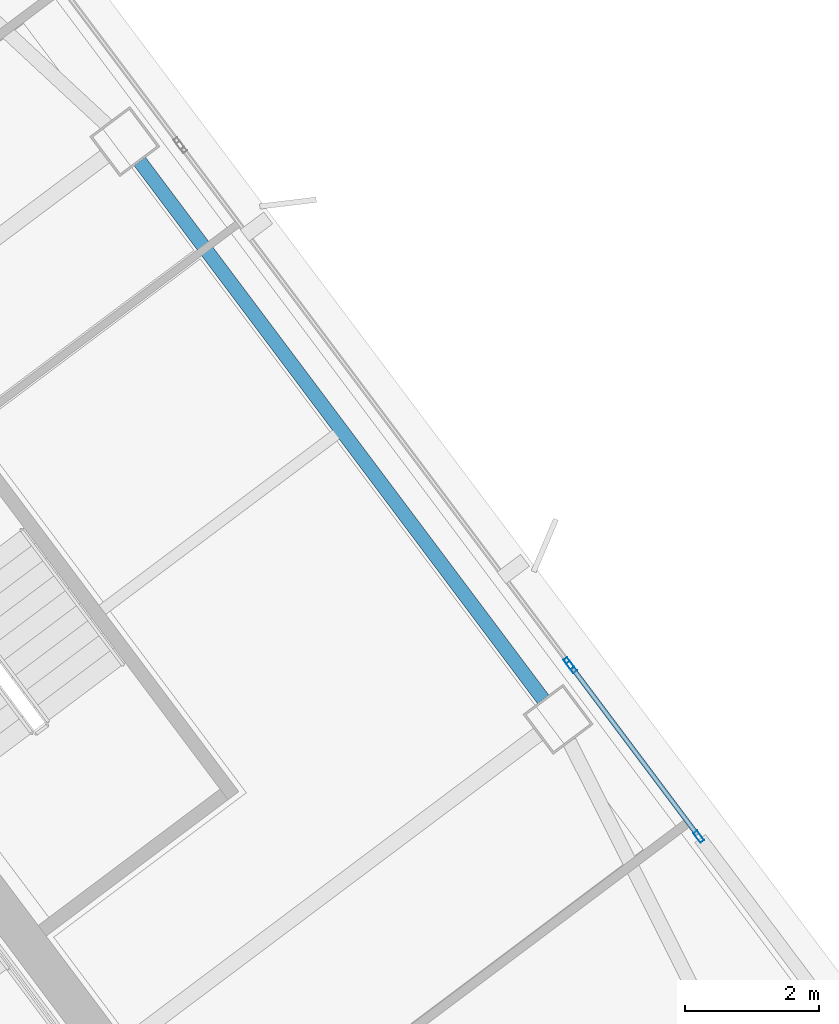
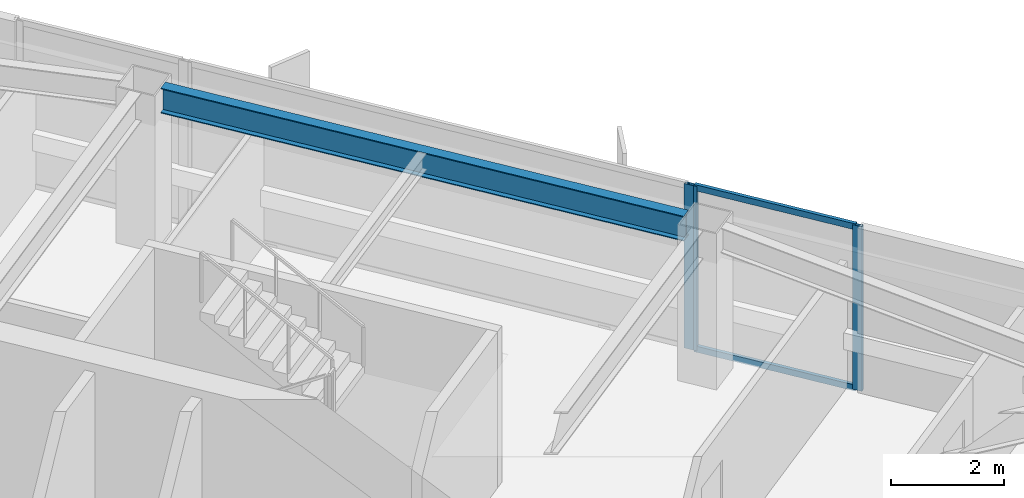
# One storey, part 28 of 46: 5 members, 1 beam, 2 elements without a shape of their own.
"""IFC4 building model written with IfcOpenShell, lengths in metres."""

from ifc_helpers import new_model, si_unit, direction, frame, origin, origin_2d, place, context, subcontext, project, spatial, hollow_rectangle, i_section, extrude, material, material_profile, profile_set, type_object, element, aggregate, save


model = new_model("IFC4")

# Units and contexts
model_context = context("Model", 3, precision=1e-05, world=origin(), true_north=direction((0.0, 1.0)))
body_context = subcontext(model_context, "Body", "Model", "MODEL_VIEW")
ifc_project = project(units=[si_unit("LENGTHUNIT", "METRE"), si_unit("AREAUNIT", "SQUARE_METRE"), si_unit("VOLUMEUNIT", "CUBIC_METRE"), si_unit("PLANEANGLEUNIT", "RADIAN"), si_unit("MASSUNIT", "GRAM", prefix="KILO")], contexts=[model_context])

# Site, building, storey
site_placement = place(None, origin())
site = spatial("IfcSite", under=ifc_project, at=site_placement, CompositionType="ELEMENT")
building_placement = place(site_placement, origin())
building = spatial("IfcBuilding", under=site, at=building_placement, Name="Tashvorn Skyway Center", CompositionType="ELEMENT")
storey_placement = place(building_placement, frame((0.0, 0.0, 167.64990234375)))
storey = spatial("IfcBuildingStorey", under=building, at=storey_placement, Name="L45", CompositionType="ELEMENT", Elevation=167.64990234375)

# Beam
ifc_material_1 = material(Name="Steel ASTM A992 Grade 50", Category="steel")
ifc_material_profile_1 = material_profile(ifc_material_1, i_section(OverallWidth=0.2109375, OverallDepth=0.5390625, WebThickness=0.01171875, FlangeThickness=0.018798828125, at=origin_2d()), Name="W21X73")
ifc_profile_set_1 = profile_set([ifc_material_profile_1], Name="Steel ASTM A992 Grade 50")
beam_type = type_object("IfcBeamType", Name="BM-SPANDREL-W21X73", PredefinedType="SPANDREL", material=ifc_profile_set_1)
beam_placement = place(storey_placement, frame((129.93798828125, 37.666015625, 3.1005859375), z_axis=(-0.599988351091, 0.800008736549, 0.0), x_axis=(-0.800008736549, -0.599988351091, 0.0)))
element("IfcBeam", 1, at=beam_placement, inside=storey, type_object=beam_type, Name="Tower 2 L45 Spandrel Beam 05", PredefinedType="SPANDREL", context=body_context, shape_type="SweptSolid", body=[
    extrude(i_section(OverallWidth=0.2109375, OverallDepth=0.5390625, WebThickness=0.01171875, FlangeThickness=0.018798828125, at=origin_2d()), origin(), (0.0, 0.0, 1.0), 10.06005859375),
])

# Curtain wall, member
ifc_material_2 = material(Name="Thermally broken bronze-anodized aluminium 6063-T6", Category="aluminium")
curtain_wall_type = type_object("IfcCurtainWallType", Name="CW-CW-Z4", PredefinedType="NOTDEFINED", material=ifc_material_2)
curtain_wall_1_placement = place(storey_placement, origin())
curtain_wall_1 = element("IfcCurtainWall", 2, at=curtain_wall_1_placement, inside=storey, type_object=curtain_wall_type, Name="Tower 2 L45 East Unitised Curtain Wall Glazing Group 3", PredefinedType="NOTDEFINED")
ifc_material_profile_2 = material_profile(ifc_material_2, hollow_rectangle(XDim=0.070068359375, YDim=0.179931640625, WallThickness=0.00390625, at=origin_2d()), Name="ALU-MULL-70x180")
ifc_profile_set_2 = profile_set([ifc_material_profile_2], Name="Thermally broken bronze-anodized aluminium 6063-T6")
member_type_1 = type_object("IfcMemberType", Name="CWM-CW-Z4", PredefinedType="MULLION", material=ifc_profile_set_2)
member_1_placement = place(storey_placement, frame((130.319091796875, 38.2080078125, 0.0), z_axis=(0.0, 0.0, 1.0), x_axis=(0.799999999998, 0.600000000002, 0.0)))
member_1 = element("IfcMember", 3, at=member_1_placement, type_object=member_type_1, Name="CW-Z4 mullion 2", PredefinedType="MULLION", context=body_context, shape_type="SweptSolid", body=[
    extrude(hollow_rectangle(XDim=0.070068359375, YDim=0.179931640625, WallThickness=0.00390625, at=origin_2d()), origin(), (0.0, 0.0, 1.0), 3.550048828125),
])
aggregate(curtain_wall_1, [member_1])

# Curtain wall, members
curtain_wall_2_placement = place(storey_placement, origin())
curtain_wall_2 = element("IfcCurtainWall", 4, at=curtain_wall_2_placement, inside=storey, type_object=curtain_wall_type, Name="Tower 2 L45 East Unitised Curtain Wall Glazing Group 4", PredefinedType="NOTDEFINED")
member_2_placement = place(storey_placement, frame((130.361083984375, 38.152099609375, 0.0), z_axis=(0.0, 0.0, 1.0), x_axis=(0.799999999998, 0.600000000002, 0.0)))
member_2 = element("IfcMember", 5, at=member_2_placement, type_object=member_type_1, Name="CW-Z4 mullion 1", PredefinedType="MULLION", context=body_context, shape_type="SweptSolid", body=[
    extrude(hollow_rectangle(XDim=0.070068359375, YDim=0.179931640625, WallThickness=0.00390625, at=origin_2d()), origin(), (0.0, 0.0, 1.0), 3.550048828125),
])
member_3_placement = place(storey_placement, frame((132.262939453125, 35.615966796875, 0.0), z_axis=(0.0, 0.0, 1.0), x_axis=(0.799999999998, 0.600000000002, 0.0)))
member_3 = element("IfcMember", 6, at=member_3_placement, type_object=member_type_1, Name="CW-Z4 mullion 2", PredefinedType="MULLION", context=body_context, shape_type="SweptSolid", body=[
    extrude(hollow_rectangle(XDim=0.070068359375, YDim=0.179931640625, WallThickness=0.00390625, at=origin_2d()), origin(), (0.0, 0.0, 1.0), 3.550048828125),
])
ifc_material_profile_3 = material_profile(ifc_material_2, hollow_rectangle(XDim=0.070068359375, YDim=0.1298828125, WallThickness=0.00390625, at=origin_2d()), Name="ALU-TRAN-70x130")
ifc_profile_set_3 = profile_set([ifc_material_profile_3], Name="Thermally broken bronze-anodized aluminium 6063-T6")
member_type_2 = type_object("IfcMemberType", Name="CWT-CW-Z4", PredefinedType="USERDEFINED", material=ifc_profile_set_3)
member_4_placement = place(storey_placement, frame((130.382080078125, 38.1240234375, 0.03515625), z_axis=(0.599974797295, -0.800018901408, 0.0), x_axis=(0.800018901408, 0.599974797295, 0.0)))
member_4 = element("IfcMember", 7, at=member_4_placement, type_object=member_type_2, Name="CW-Z4 transom 1.1", ObjectType="TRANSOM", PredefinedType="USERDEFINED", context=body_context, shape_type="SweptSolid", body=[
    extrude(hollow_rectangle(XDim=0.070068359375, YDim=0.1298828125, WallThickness=0.00390625, at=origin_2d()), origin(), (0.0, 0.0, 1.0), 3.099853515625),
])
member_5_placement = place(storey_placement, frame((130.382080078125, 38.1240234375, 3.51513671875), z_axis=(0.599974797295, -0.800018901408, 0.0), x_axis=(0.800018901408, 0.599974797295, 0.0)))
member_5 = element("IfcMember", 8, at=member_5_placement, type_object=member_type_2, Name="CW-Z4 transom 1.2", ObjectType="TRANSOM", PredefinedType="USERDEFINED", context=body_context, shape_type="SweptSolid", body=[
    extrude(hollow_rectangle(XDim=0.070068359375, YDim=0.1298828125, WallThickness=0.00390625, at=origin_2d()), origin(), (0.0, 0.0, 1.0), 3.099853515625),
])
aggregate(curtain_wall_2, [member_2, member_3, member_4, member_5])

save(model, "model.ifc")
